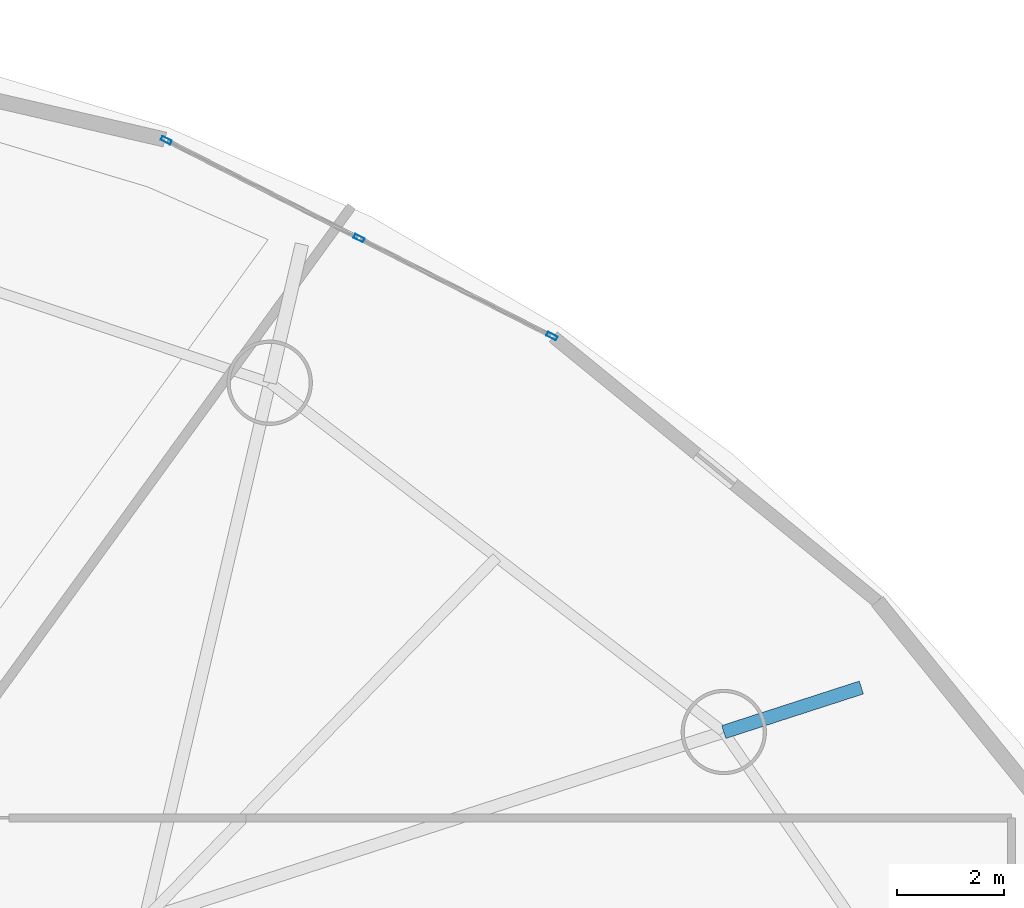
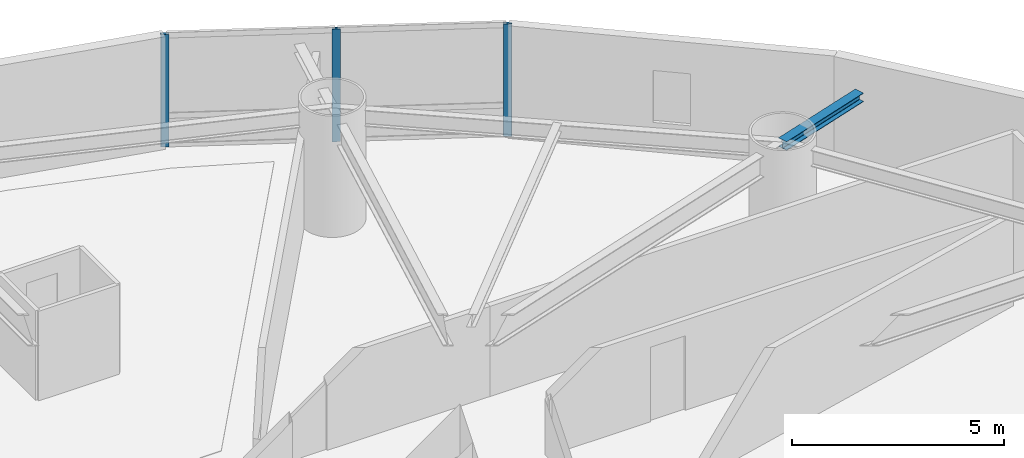
# One storey, part 12 of 20: 3 members, 1 beam, 1 element without a shape of its own.
"""IFC4 building model written with IfcOpenShell, lengths in metres."""

import ifcopenshell
import ifcopenshell.guid

model = None  # the IFC model being written
_history = None  # IfcOwnerHistory: only IFC2X3 demands one
_inside = {}  # id of a spatial element -> (the spatial element, [elements in it])
_under = {}  # id of a project, library or spatial element -> (it, [spatial elements below it])
_declared = {}  # id of a project -> (the project, [libraries it declares])
_typed = {}  # id of a type object -> (the type object, [elements of that type])
_made_of = {}  # id of a material, layer set ... -> (it, [elements and type objects made of it])


def new_model(schema):
    """Start an empty IFC model of exactly this schema.

    Asked for "IFC4X3", IfcOpenShell would pick the latest addendum, in which some entities
    have other attributes; the version numbers below select the first issue.
    IFC2X3 requires an IfcOwnerHistory on every rooted entity: one is made here for all.
    """
    global model, _history
    if schema == "IFC4X3":
        model = ifcopenshell.file(schema_version=(4, 3, 0, 0))
    else:
        model = ifcopenshell.file(schema=schema)
    _inside.clear()
    _under.clear()
    _declared.clear()
    _typed.clear()
    _made_of.clear()
    _history = None
    if model.schema == "IFC2X3":
        org = make("IfcOrganization", Name="unknown")
        user = make(
            "IfcPersonAndOrganization",
            ThePerson=make("IfcPerson", FamilyName="unknown"),
            TheOrganization=org,
        )
        app = make(
            "IfcApplication",
            ApplicationDeveloper=org,
            Version="unknown",
            ApplicationFullName="unknown",
            ApplicationIdentifier="unknown",
        )
        _history = make(
            "IfcOwnerHistory",
            OwningUser=user,
            OwningApplication=app,
            ChangeAction="ADDED",
            CreationDate=0,
        )
    return model


def make(cls, **values):
    """One entity of the class cls with the attributes given. An attribute that is None is left unset."""
    return model.create_entity(
        cls, **{name: value for name, value in values.items() if value is not None}
    )


def rooted(cls, **values):
    """An entity with a GlobalId (a new one), such as an element, a storey or a relation."""
    return make(cls, GlobalId=ifcopenshell.guid.new(), OwnerHistory=_history, **values)


def si_unit(unit_type, name, prefix=None):
    """IfcSIUnit, for example si_unit("LENGTHUNIT", "METRE", prefix="MILLI")."""
    return make("IfcSIUnit", UnitType=unit_type, Prefix=prefix, Name=name)


def assignment(units):
    """IfcUnitAssignment: the units of a project."""
    return None if units is None else make("IfcUnitAssignment", Units=units)


def point(xyz):
    """IfcCartesianPoint."""
    return None if xyz is None else make("IfcCartesianPoint", Coordinates=xyz)


def direction(xyz):
    """IfcDirection."""
    return None if xyz is None else make("IfcDirection", DirectionRatios=xyz)


def frame(location, z_axis=None, x_axis=None):
    """IfcAxis2Placement3D, a coordinate frame: its origin and axes. An axis left out is left unset."""
    return make(
        "IfcAxis2Placement3D",
        Location=point(location),
        Axis=direction(z_axis),
        RefDirection=direction(x_axis),
    )


def frame_2d(location, x_axis=None):
    """IfcAxis2Placement2D, a coordinate frame in the plane: its origin and x axis."""
    return make(
        "IfcAxis2Placement2D", Location=point(location), RefDirection=direction(x_axis)
    )


def origin():
    """The frame at (0, 0, 0) with its axes left unset."""
    return frame((0.0, 0.0, 0.0))


def origin_2d():
    """The frame at (0, 0) in the plane with its x axis left unset."""
    return frame_2d((0.0, 0.0))


def place(relative_to, where):
    """IfcLocalPlacement: puts the frame where relative to a parent placement (None: the world)."""
    return make(
        "IfcLocalPlacement", PlacementRelTo=relative_to, RelativePlacement=where
    )


def context(
    kind, dimensions, precision=None, world=None, true_north=None, identifier=None
):
    """IfcGeometricRepresentationContext, for example the 3D "Model" context."""
    return make(
        "IfcGeometricRepresentationContext",
        ContextIdentifier=identifier,
        ContextType=kind,
        CoordinateSpaceDimension=dimensions,
        Precision=precision,
        WorldCoordinateSystem=world,
        TrueNorth=true_north,
    )


def subcontext(parent, identifier, kind, view, scale=None):
    """IfcGeometricRepresentationSubContext, for example "Body" below "Model"."""
    return make(
        "IfcGeometricRepresentationSubContext",
        ContextIdentifier=identifier,
        ContextType=kind,
        ParentContext=parent,
        TargetScale=scale,
        TargetView=view,
    )


def project(units=None, contexts=None):
    """IfcProject with its units and contexts."""
    return rooted(
        "IfcProject",
        Name="project",
        RepresentationContexts=contexts,
        UnitsInContext=assignment(units),
    )


def spatial(cls, under=None, at=None, **own):
    """A site, building, storey or space (cls), placed at a placement, below another one or the project."""
    s = rooted(cls, ObjectPlacement=at, **own)
    if under is not None:
        _under.setdefault(under.id(), (under, []))[1].append(s)
    return s


def profile(cls, at=None, kind="AREA", **sizes):
    """A parametric profile (cls). Its sizes go by their IFC names, for example OverallWidth=200.0."""
    return make(cls, ProfileType=kind, Position=at, **sizes)


def hollow_rectangle(**sizes):
    """IfcRectangleHollowProfileDef."""
    return profile("IfcRectangleHollowProfileDef", **sizes)


def i_section(**sizes):
    """IfcIShapeProfileDef."""
    return profile("IfcIShapeProfileDef", **sizes)


def extrude(swept, where, along, depth):
    """IfcExtrudedAreaSolid: the profile swept, set in the frame where, extruded along a direction by depth."""
    return make(
        "IfcExtrudedAreaSolid",
        SweptArea=swept,
        Position=where,
        ExtrudedDirection=direction(along),
        Depth=depth,
    )


def shape(context_of_items, identifier, shape_type, items):
    """IfcShapeRepresentation: the items that make up one representation, for example the "Body"."""
    return make(
        "IfcShapeRepresentation",
        ContextOfItems=context_of_items,
        RepresentationIdentifier=identifier,
        RepresentationType=shape_type,
        Items=items,
    )


def material(Name=None, Category=None):
    """IfcMaterial."""
    return make("IfcMaterial", Name=Name, Category=Category)


def layer(
    of_material, thickness, ventilated=None, Name=None, Category=None, Priority=None
):
    """IfcMaterialLayer: one layer of a wall or slab, of a material (None: an air gap)."""
    return make(
        "IfcMaterialLayer",
        Material=of_material,
        LayerThickness=thickness,
        IsVentilated=ventilated,
        Name=Name,
        Category=Category,
        Priority=Priority,
    )


def layer_set(layers, Name=None):
    """IfcMaterialLayerSet."""
    return make("IfcMaterialLayerSet", MaterialLayers=layers, LayerSetName=Name)


def material_profile(
    of_material, cross_section, Name=None, Category=None, Priority=None
):
    """IfcMaterialProfile: a cross section and its material."""
    return make(
        "IfcMaterialProfile",
        Name=Name,
        Material=of_material,
        Profile=cross_section,
        Priority=Priority,
        Category=Category,
    )


def profile_set(profiles, Name=None, composite=None):
    """IfcMaterialProfileSet."""
    return make(
        "IfcMaterialProfileSet",
        Name=Name,
        MaterialProfiles=profiles,
        CompositeProfile=composite,
    )


def made_of(thing, what):
    """Note that an element or type object is made of a material, layer set ...; save() writes the relation."""
    if what is not None:
        _made_of.setdefault(what.id(), (what, []))[1].append(thing)
    return thing


def type_object(cls, material=None, **own):
    """A type object (cls), such as IfcWallType, which elements share."""
    return made_of(rooted(cls, **own), material)


def element(
    cls,
    number,
    at=None,
    inside=None,
    cuts=None,
    type_object=None,
    material=None,
    context=None,
    identifier="Body",
    shape_type=None,
    held_by="IfcProductDefinitionShape",
    body=None,
    shapes=None,
    **own,
):
    """One element of the class cls, such as IfcWall. Its Tag is "e" and its number.

    at: its placement. inside: the storey or other place that contains it. cuts: it is an
    opening in that element (IfcRelVoidsElement). A single representation is given by context,
    identifier, shape_type and body (its items); several are given by shapes. held_by: the class
    of the entity that holds the representations. save() writes the other relations.
    """
    e = rooted(cls, Tag="e%d" % number, ObjectPlacement=at, **own)
    if body is not None:
        shapes = [shape(context, identifier, shape_type, body)]
    if shapes is not None:
        e.Representation = make(held_by, Representations=shapes)
    if inside is not None:
        _inside.setdefault(inside.id(), (inside, []))[1].append(e)
    if cuts is not None:
        rooted(
            "IfcRelVoidsElement", RelatingBuildingElement=cuts, RelatedOpeningElement=e
        )
    if type_object is not None:
        _typed.setdefault(type_object.id(), (type_object, []))[1].append(e)
    return made_of(e, material)


def aggregate(whole, parts):
    """IfcRelAggregates: a whole, such as a stair, and the parts it consists of."""
    return rooted("IfcRelAggregates", RelatingObject=whole, RelatedObjects=parts)


def save(model, path):
    """Write the relations noted so far, then the file.

    IfcRelAggregates (storeys below a building ...), IfcRelContainedInSpatialStructure (elements
    in a storey), IfcRelDefinesByType, IfcRelAssociatesMaterial and IfcRelDeclares: one each for
    every whole, place, type object, material and project.
    """
    for whole, parts in _under.values():
        aggregate(whole, parts)
    for where, things in _inside.values():
        rooted(
            "IfcRelContainedInSpatialStructure",
            RelatedElements=things,
            RelatingStructure=where,
        )
    for kind, things in _typed.values():
        rooted("IfcRelDefinesByType", RelatedObjects=things, RelatingType=kind)
    for what, things in _made_of.values():
        rooted("IfcRelAssociatesMaterial", RelatedObjects=things, RelatingMaterial=what)
    for by, libraries in _declared.values():
        rooted("IfcRelDeclares", RelatingContext=by, RelatedDefinitions=libraries)
    model.write(path)


model = new_model("IFC4")

# Units and contexts
model_context = context("Model", 3, precision=1e-05, world=origin(), true_north=direction((0.0, 1.0)))
body_context = subcontext(model_context, "Body", "Model", "MODEL_VIEW")
ifc_project = project(units=[si_unit("LENGTHUNIT", "METRE"), si_unit("AREAUNIT", "SQUARE_METRE"), si_unit("VOLUMEUNIT", "CUBIC_METRE"), si_unit("PLANEANGLEUNIT", "RADIAN"), si_unit("MASSUNIT", "GRAM", prefix="KILO")], contexts=[model_context])

# Site, building, storey
site_placement = place(None, origin())
site = spatial("IfcSite", under=ifc_project, at=site_placement, CompositionType="ELEMENT")
building_placement = place(site_placement, origin())
building = spatial("IfcBuilding", under=site, at=building_placement, Name="Bramvorn Convention Spire", CompositionType="ELEMENT")
storey_placement = place(building_placement, frame((0.0, 0.0, 58.89990234375)))
storey = spatial("IfcBuildingStorey", under=building, at=storey_placement, Name="L12", CompositionType="ELEMENT", Elevation=58.89990234375)

# Beam
ifc_material_1 = material(Name="Steel CSA G40.21 Grade 350 (350W)", Category="steel")
ifc_material_profile_1 = material_profile(ifc_material_1, i_section(OverallWidth=0.25390625, OverallDepth=0.2529296875, WebThickness=0.008544921875, FlangeThickness=0.01416015625, FilletRadius=0.011962890625, at=origin_2d()))
ifc_profile_set_1 = profile_set([ifc_material_profile_1], Name="Steel CSA G40.21 Grade 350 (350W) - W250X73")
beam_type = type_object("IfcBeamType", Name="BM-W250X73", PredefinedType="BEAM", material=ifc_profile_set_1)
beam_placement = place(storey_placement, frame((60.105224609375, 36.960205078125, 3.12353515625), z_axis=(0.951491058711, 0.307676396872, 0.0), x_axis=(-0.307676396872, 0.951491058711, 0.0)))
element("IfcBeam", 1, at=beam_placement, inside=storey, type_object=beam_type, Name="L12 slab-edge cantilever tip beam MC03", PredefinedType="BEAM", context=body_context, shape_type="SweptSolid", body=[
    extrude(i_section(OverallWidth=0.25390625, OverallDepth=0.2529296875, WebThickness=0.008544921875, FlangeThickness=0.01416015625, FilletRadius=0.011962890625, at=origin_2d()), origin(), (0.0, 0.0, 1.0), 2.710693359375),
])

# Curtain wall, members
ifc_material_2 = material(Name="Anodised Bronze Unitised Curtain Wall", Category="aluminium")
ifc_layer = layer(ifc_material_2, 0.179931640625)
ifc_layer_set = layer_set([ifc_layer], Name="Anodised Bronze Unitised Curtain Wall - CW-HTL-FRIT")
curtain_wall_type = type_object("IfcCurtainWallType", Name="CW-HTL-FRIT", PredefinedType="USERDEFINED", material=ifc_layer_set)
curtain_wall_placement = place(storey_placement, origin())
curtain_wall = element("IfcCurtainWall", 2, at=curtain_wall_placement, inside=storey, type_object=curtain_wall_type, Name="L12 fritted glass curtain wall 05", ObjectType="UNITISED CURTAIN WALL", PredefinedType="USERDEFINED")
ifc_material_3 = material(Name="Anodised Bronze Aluminium 6063-T6", Category="aluminium")
ifc_material_profile_2 = material_profile(ifc_material_3, hollow_rectangle(XDim=0.080078125, YDim=0.199951171875, WallThickness=0.00390625, InnerFilletRadius=0.0009765625, OuterFilletRadius=0.00390625, at=origin_2d()))
ifc_profile_set_2 = profile_set([ifc_material_profile_2], Name="Anodised Bronze Aluminium 6063-T6 - CWM80X200")
member_type = type_object("IfcMemberType", Name="CW-MUL-180", PredefinedType="MULLION", material=ifc_profile_set_2)
member_1_placement = place(storey_placement, frame((49.649658203125, 48.056396484375, 0.0), z_axis=(0.0, 0.0, 1.0), x_axis=(0.452839359268, 0.891592123506, 0.0)))
member_1 = element("IfcMember", 3, at=member_1_placement, type_object=member_type, Name="CW2 mullion 1", PredefinedType="MULLION", context=body_context, shape_type="SweptSolid", body=[
    extrude(hollow_rectangle(XDim=0.080078125, YDim=0.199951171875, WallThickness=0.00390625, InnerFilletRadius=0.0009765625, OuterFilletRadius=0.00390625, at=origin_2d()), origin(), (0.0, 0.0, 1.0), 3.25),
])
member_2_placement = place(storey_placement, frame((53.265380859375, 46.219970703125, 0.0), z_axis=(0.0, 0.0, 1.0), x_axis=(0.452839359268, 0.891592123506, 0.0)))
member_2 = element("IfcMember", 4, at=member_2_placement, type_object=member_type, Name="CW2 mullion 2", PredefinedType="MULLION", context=body_context, shape_type="SweptSolid", body=[
    extrude(hollow_rectangle(XDim=0.080078125, YDim=0.199951171875, WallThickness=0.00390625, InnerFilletRadius=0.0009765625, OuterFilletRadius=0.00390625, at=origin_2d()), origin(), (0.0, 0.0, 1.0), 3.25),
])
member_3_placement = place(storey_placement, frame((56.88134765625, 44.38330078125, 0.0), z_axis=(0.0, 0.0, 1.0), x_axis=(0.452839359268, 0.891592123506, 0.0)))
member_3 = element("IfcMember", 5, at=member_3_placement, type_object=member_type, Name="CW2 mullion 3", PredefinedType="MULLION", context=body_context, shape_type="SweptSolid", body=[
    extrude(hollow_rectangle(XDim=0.080078125, YDim=0.199951171875, WallThickness=0.00390625, InnerFilletRadius=0.0009765625, OuterFilletRadius=0.00390625, at=origin_2d()), origin(), (0.0, 0.0, 1.0), 3.25),
])
aggregate(curtain_wall, [member_1, member_2, member_3])

save(model, "model.ifc")
